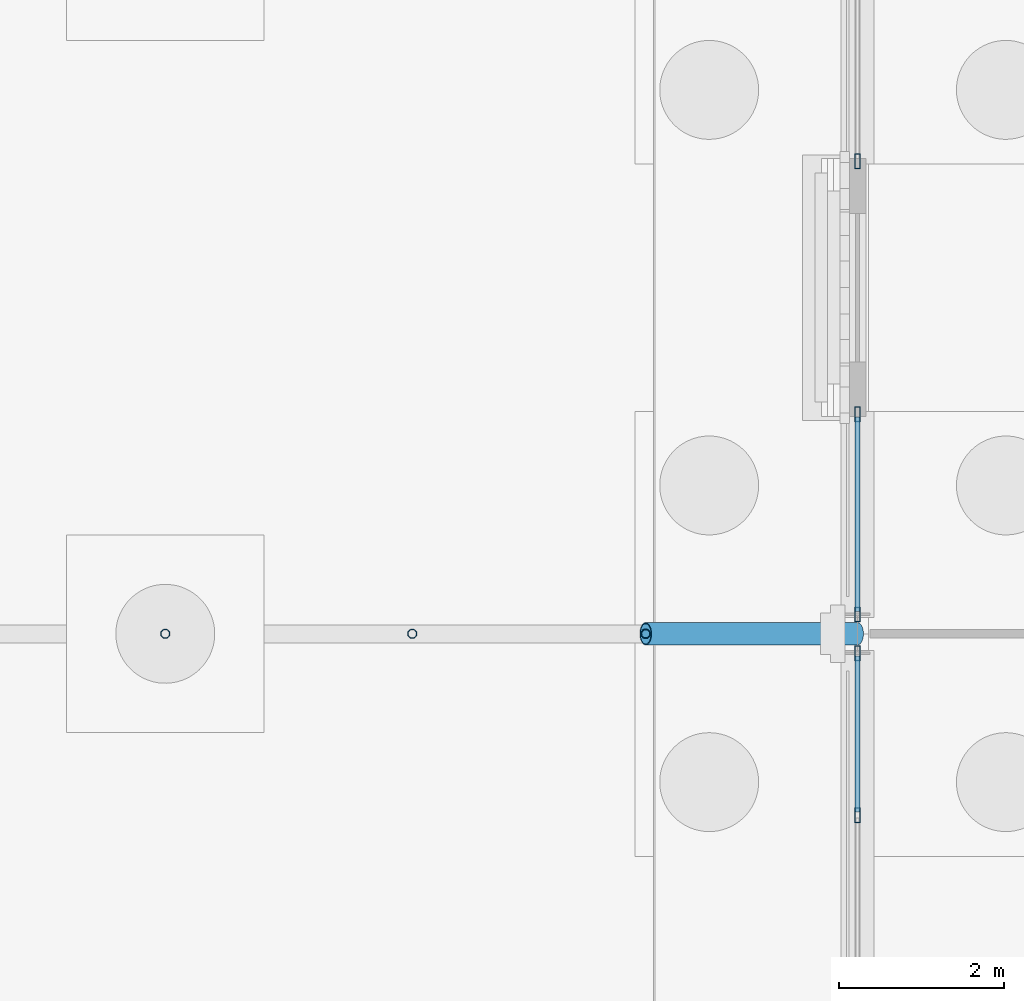
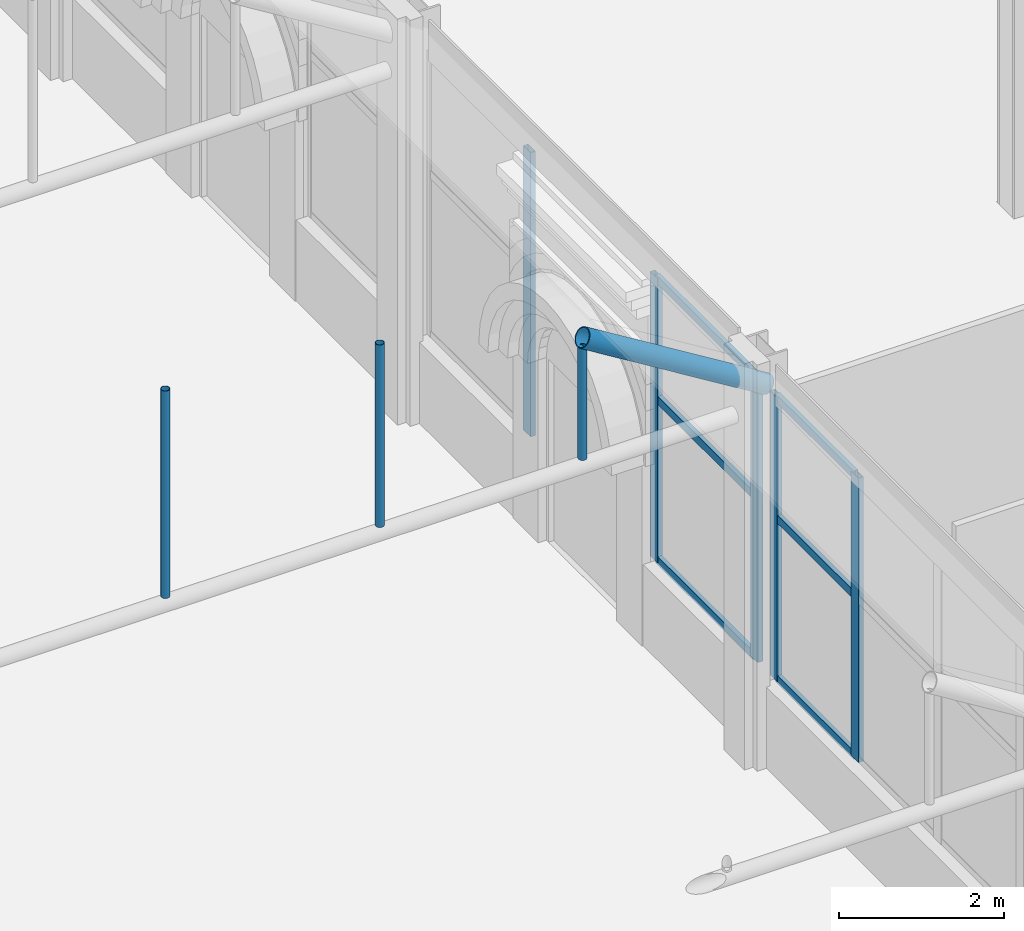
# One storey, part 148 of 212: 15 members, 3 elements without a shape of their own.
"""IFC4 building model written with IfcOpenShell, lengths in metres."""

from ifc_helpers import new_model, si_unit, direction, frame, origin, origin_2d, place, context, subcontext, project, spatial, hollow_rectangle, hollow_circle, extrude, material, material_profile, profile_set, type_object, element, aggregate, save


model = new_model("IFC4")

# Units and contexts
model_context = context("Model", 3, precision=1e-05, world=origin(), true_north=direction((0.0, 1.0)))
body_context = subcontext(model_context, "Body", "Model", "MODEL_VIEW")
ifc_project = project(units=[si_unit("LENGTHUNIT", "METRE"), si_unit("AREAUNIT", "SQUARE_METRE"), si_unit("VOLUMEUNIT", "CUBIC_METRE"), si_unit("PLANEANGLEUNIT", "RADIAN"), si_unit("MASSUNIT", "GRAM", prefix="KILO")], contexts=[model_context])

# Site, building, storey
site_placement = place(None, origin())
site = spatial("IfcSite", under=ifc_project, at=site_placement, CompositionType="ELEMENT")
building_placement = place(site_placement, origin())
building = spatial("IfcBuilding", under=site, at=building_placement, Name="Catenary Quay Ferry Terminal", CompositionType="ELEMENT")
storey_placement = place(building_placement, origin())
storey = spatial("IfcBuildingStorey", under=building, at=storey_placement, Name="L00", CompositionType="ELEMENT", Elevation=0.0)

# Members
ifc_material_1 = material(Name="Steel S355", Category="steel")
ifc_material_profile_1 = material_profile(ifc_material_1, hollow_circle(Radius=0.05712890625, WallThickness=0.00634765625, at=origin_2d()), Name="CHS 114.3x6.3")
ifc_profile_set_1 = profile_set([ifc_material_profile_1], Name="Steel S355")
member_type_1 = type_object("IfcMemberType", Name="HG1 CHS 114.3x6.3", PredefinedType="POST", material=ifc_profile_set_1)
member_1_placement = place(storey_placement, frame((16.800048828125, 176.39990234375, 5.205078125), z_axis=(0.0, 0.0, 1.0), x_axis=(1.0, 0.0, 0.0)))
element("IfcMember", 1, at=member_1_placement, inside=storey, type_object=member_type_1, Name="Hanger FC-14-03", PredefinedType="POST", context=body_context, shape_type="SweptSolid", body=[
    extrude(hollow_circle(Radius=0.05712890625, WallThickness=0.00634765625, at=origin_2d()), origin(), (0.0, 0.0, 1.0), 3.06494140625),
])
member_2_placement = place(storey_placement, frame((19.797119140625, 176.39990234375, 5.205078125), z_axis=(0.0, 0.0, 1.0), x_axis=(1.0, 0.0, 0.0)))
element("IfcMember", 2, at=member_2_placement, inside=storey, type_object=member_type_1, Name="Hanger FC-14-04", PredefinedType="POST", context=body_context, shape_type="SweptSolid", body=[
    extrude(hollow_circle(Radius=0.05712890625, WallThickness=0.00634765625, at=origin_2d()), origin(), (0.0, 0.0, 1.0), 2.69580078125),
])
member_3_placement = place(storey_placement, frame((22.62890625, 176.39990234375, 5.205078125), z_axis=(0.0, 0.0, 1.0), x_axis=(1.0, 0.0, 0.0)))
element("IfcMember", 3, at=member_3_placement, inside=storey, type_object=member_type_1, Name="Hanger FC-14-05", PredefinedType="POST", context=body_context, shape_type="SweptSolid", body=[
    extrude(hollow_circle(Radius=0.05712890625, WallThickness=0.00634765625, at=origin_2d()), origin(), (0.0, 0.0, 1.0), 1.64892578125),
])

# Curtain wall, members
ifc_material_2 = material(Name="Aluminium and glass", Category="aluminium")
curtain_wall_type = type_object("IfcCurtainWallType", Name="CWW1", PredefinedType="NOTDEFINED", material=ifc_material_2)
curtain_wall_1_placement = place(storey_placement, origin())
curtain_wall_1 = element("IfcCurtainWall", 4, at=curtain_wall_1_placement, inside=storey, type_object=curtain_wall_type, Name="Wing curtain wall CW106", PredefinedType="NOTDEFINED")
ifc_material_3 = material(Name="Aluminium", Category="aluminium")
ifc_material_profile_2 = material_profile(ifc_material_3, hollow_rectangle(XDim=0.070068359375, YDim=0.179931640625, WallThickness=0.006103515625, at=origin_2d()), Name="MU3")
ifc_profile_set_2 = profile_set([ifc_material_profile_2], Name="Aluminium")
member_type_2 = type_object("IfcMemberType", Name="MU3", PredefinedType="MULLION", material=ifc_profile_set_2)
member_4_placement = place(storey_placement, frame((25.199951171875, 174.199951171875, 1.199951171875), z_axis=(0.0, 0.0, 1.0), x_axis=(-1.0, 0.0, 0.0)))
member_4 = element("IfcMember", 5, at=member_4_placement, type_object=member_type_2, Name="CW106 mullion 4", PredefinedType="MULLION", context=body_context, shape_type="SweptSolid", body=[
    extrude(hollow_rectangle(XDim=0.070068359375, YDim=0.179931640625, WallThickness=0.006103515625, at=origin_2d()), origin(), (0.0, 0.0, 1.0), 4.199951171875),
])
member_5_placement = place(storey_placement, frame((25.199951171875, 176.1650390625, 1.199951171875), z_axis=(0.0, 0.0, 1.0), x_axis=(-1.0, 0.0, 0.0)))
member_5 = element("IfcMember", 6, at=member_5_placement, type_object=member_type_2, Name="CW106 mullion 5", PredefinedType="MULLION", context=body_context, shape_type="SweptSolid", body=[
    extrude(hollow_rectangle(XDim=0.070068359375, YDim=0.179931640625, WallThickness=0.006103515625, at=origin_2d()), origin(), (0.0, 0.0, 1.0), 4.199951171875),
])

curtain_wall_2_placement = place(storey_placement, origin())
curtain_wall_2 = element("IfcCurtainWall", 7, at=curtain_wall_2_placement, inside=storey, type_object=curtain_wall_type, Name="Wing curtain wall CW107", PredefinedType="NOTDEFINED")
member_6_placement = place(storey_placement, frame((25.199951171875, 176.635009765625, 1.199951171875), z_axis=(0.0, 0.0, 1.0), x_axis=(-1.0, 0.0, 0.0)))
member_6 = element("IfcMember", 8, at=member_6_placement, type_object=member_type_2, Name="CW107 mullion 1", PredefinedType="MULLION", context=body_context, shape_type="SweptSolid", body=[
    extrude(hollow_rectangle(XDim=0.070068359375, YDim=0.179931640625, WallThickness=0.006103515625, at=origin_2d()), origin(), (0.0, 0.0, 1.0), 4.199951171875),
])
member_7_placement = place(storey_placement, frame((25.199951171875, 179.06494140625, 1.199951171875), z_axis=(0.0, 0.0, 1.0), x_axis=(-1.0, 0.0, 0.0)))
member_7 = element("IfcMember", 9, at=member_7_placement, type_object=member_type_2, Name="CW107 mullion 2", PredefinedType="MULLION", context=body_context, shape_type="SweptSolid", body=[
    extrude(hollow_rectangle(XDim=0.070068359375, YDim=0.179931640625, WallThickness=0.006103515625, at=origin_2d()), origin(), (0.0, 0.0, 1.0), 4.199951171875),
])

# Curtain wall, member
curtain_wall_3_placement = place(storey_placement, origin())
curtain_wall_3 = element("IfcCurtainWall", 10, at=curtain_wall_3_placement, inside=storey, type_object=curtain_wall_type, Name="Wing curtain wall CW108", PredefinedType="NOTDEFINED")
member_8_placement = place(storey_placement, frame((25.199951171875, 182.135009765625, 1.199951171875), z_axis=(0.0, 0.0, 1.0), x_axis=(-1.0, 0.0, 0.0)))
member_8 = element("IfcMember", 11, at=member_8_placement, type_object=member_type_2, Name="CW108 mullion 1", PredefinedType="MULLION", context=body_context, shape_type="SweptSolid", body=[
    extrude(hollow_rectangle(XDim=0.070068359375, YDim=0.179931640625, WallThickness=0.006103515625, at=origin_2d()), origin(), (0.0, 0.0, 1.0), 4.199951171875),
])
aggregate(curtain_wall_3, [member_8])

# Member
ifc_material_4 = material(Name="Aluminium", Category="aluminium")
ifc_material_profile_3 = material_profile(ifc_material_4, hollow_rectangle(XDim=0.06005859375, YDim=0.1201171875, WallThickness=0.0048828125, at=origin_2d()), Name="TR3")
ifc_profile_set_3 = profile_set([ifc_material_profile_3], Name="Aluminium")
member_type_3 = type_object("IfcMemberType", Name="TR3", PredefinedType="USERDEFINED", material=ifc_profile_set_3)
member_9_placement = place(storey_placement, frame((25.199951171875, 174.235107421875, 1.22998046875), z_axis=(0.0, 1.0, 0.0), x_axis=(-1.0, 0.0, 0.0)))
member_9 = element("IfcMember", 12, at=member_9_placement, type_object=member_type_3, Name="CW106 transom 4.1", ObjectType="TRANSOM", PredefinedType="USERDEFINED", context=body_context, shape_type="SweptSolid", body=[
    extrude(hollow_rectangle(XDim=0.06005859375, YDim=0.1201171875, WallThickness=0.0048828125, at=origin_2d()), origin(), (0.0, 0.0, 1.0), 1.894775390625),
])

member_10_placement = place(storey_placement, frame((25.199951171875, 174.235107421875, 3.60009765625), z_axis=(0.0, 1.0, 0.0), x_axis=(-1.0, 0.0, 0.0)))
member_10 = element("IfcMember", 13, at=member_10_placement, type_object=member_type_3, Name="CW106 transom 4.2", ObjectType="TRANSOM", PredefinedType="USERDEFINED", context=body_context, shape_type="SweptSolid", body=[
    extrude(hollow_rectangle(XDim=0.06005859375, YDim=0.1201171875, WallThickness=0.0048828125, at=origin_2d()), origin(), (0.0, 0.0, 1.0), 1.894775390625),
])

member_11_placement = place(storey_placement, frame((25.199951171875, 174.235107421875, 5.3701171875), z_axis=(0.0, 1.0, 0.0), x_axis=(-1.0, 0.0, 0.0)))
member_11 = element("IfcMember", 14, at=member_11_placement, type_object=member_type_3, Name="CW106 transom 4.3", ObjectType="TRANSOM", PredefinedType="USERDEFINED", context=body_context, shape_type="SweptSolid", body=[
    extrude(hollow_rectangle(XDim=0.06005859375, YDim=0.1201171875, WallThickness=0.0048828125, at=origin_2d()), origin(), (0.0, 0.0, 1.0), 1.894775390625),
])

aggregate(curtain_wall_1, [member_4, member_5, member_9, member_10, member_11])

member_12_placement = place(storey_placement, frame((25.199951171875, 176.669921875, 1.22998046875), z_axis=(0.0, 1.0, 0.0), x_axis=(-1.0, 0.0, 0.0)))
member_12 = element("IfcMember", 15, at=member_12_placement, type_object=member_type_3, Name="CW107 transom 1.1", ObjectType="TRANSOM", PredefinedType="USERDEFINED", context=body_context, shape_type="SweptSolid", body=[
    extrude(hollow_rectangle(XDim=0.06005859375, YDim=0.1201171875, WallThickness=0.0048828125, at=origin_2d()), origin(), (0.0, 0.0, 1.0), 2.360107421875),
])

member_13_placement = place(storey_placement, frame((25.199951171875, 176.669921875, 3.60009765625), z_axis=(0.0, 1.0, 0.0), x_axis=(-1.0, 0.0, 0.0)))
member_13 = element("IfcMember", 16, at=member_13_placement, type_object=member_type_3, Name="CW107 transom 1.2", ObjectType="TRANSOM", PredefinedType="USERDEFINED", context=body_context, shape_type="SweptSolid", body=[
    extrude(hollow_rectangle(XDim=0.06005859375, YDim=0.1201171875, WallThickness=0.0048828125, at=origin_2d()), origin(), (0.0, 0.0, 1.0), 2.360107421875),
])

member_14_placement = place(storey_placement, frame((25.199951171875, 176.669921875, 5.3701171875), z_axis=(0.0, 1.0, 0.0), x_axis=(-1.0, 0.0, 0.0)))
member_14 = element("IfcMember", 17, at=member_14_placement, type_object=member_type_3, Name="CW107 transom 1.3", ObjectType="TRANSOM", PredefinedType="USERDEFINED", context=body_context, shape_type="SweptSolid", body=[
    extrude(hollow_rectangle(XDim=0.06005859375, YDim=0.1201171875, WallThickness=0.0048828125, at=origin_2d()), origin(), (0.0, 0.0, 1.0), 2.360107421875),
])

aggregate(curtain_wall_2, [member_6, member_7, member_12, member_13, member_14])

ifc_material_5 = material(Name="Steel S355", Category="steel")
ifc_material_profile_4 = material_profile(ifc_material_5, hollow_circle(Radius=0.136474609375, WallThickness=0.012451171875, at=origin_2d()), Name="CHS 273x12.5")
ifc_profile_set_4 = profile_set([ifc_material_profile_4], Name="Steel S355")
member_type_4 = type_object("IfcMemberType", Name="VR2 CHS 273x12.5", PredefinedType="RAFTER", material=ifc_profile_set_4)
member_15_placement = place(storey_placement, frame((22.62890625, 176.39990234375, 6.98388671875), z_axis=(0.851391726314, 0.0, -0.524530388408), x_axis=(0.0, 1.0, 0.0)))
element("IfcMember", 18, at=member_15_placement, inside=storey, type_object=member_type_4, Name="rib FC-14-06", PredefinedType="RAFTER", context=body_context, shape_type="SweptSolid", body=[
    extrude(hollow_circle(Radius=0.136474609375, WallThickness=0.012451171875, at=origin_2d()), origin(), (0.0, 0.0, 1.0), 3.019775390625),
])

save(model, "model.ifc")
